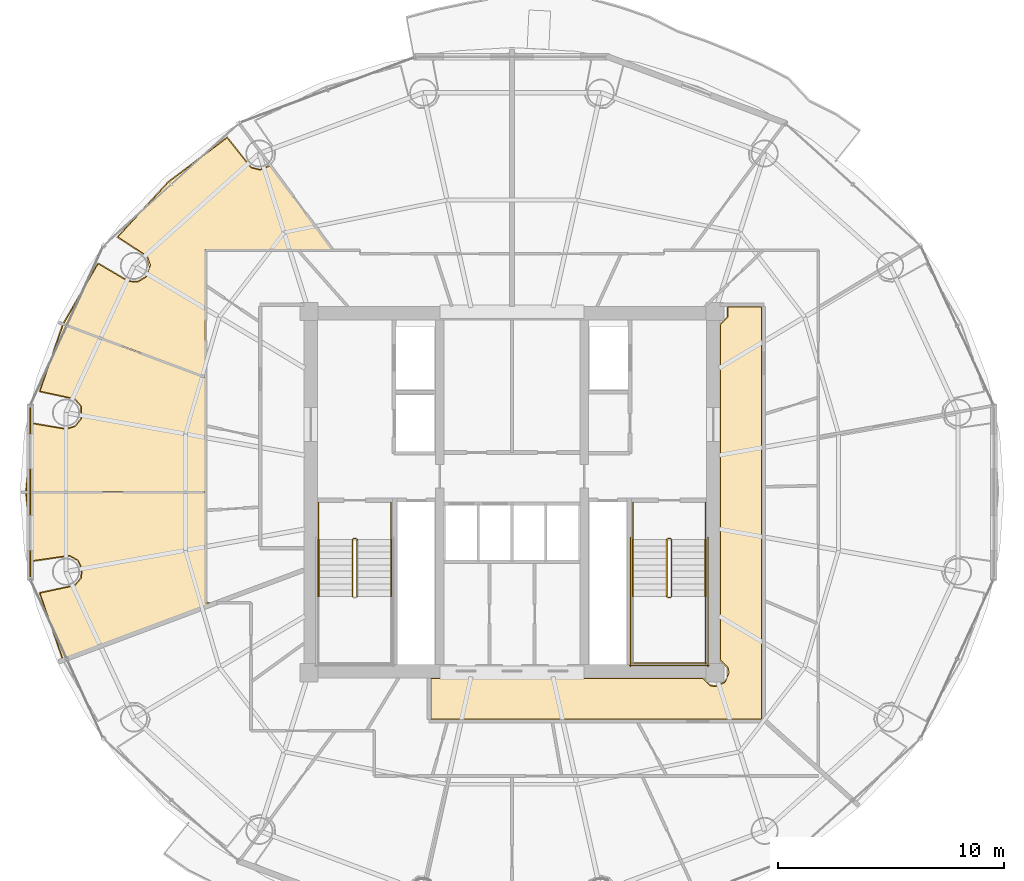
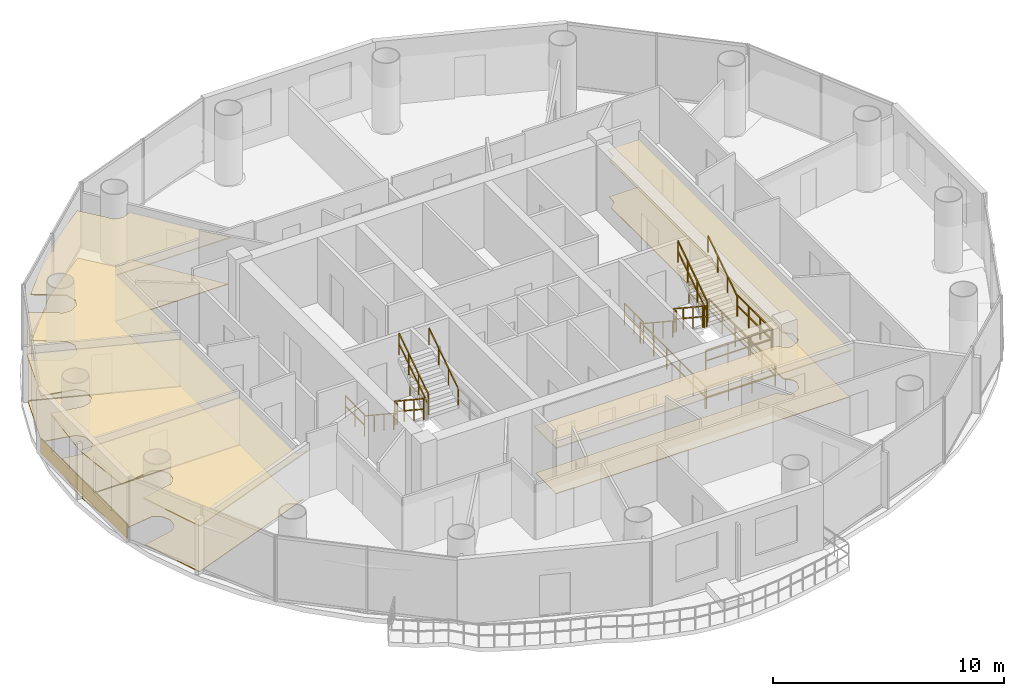
# One storey, part 25 of 26: 20 railings, 9 coverings.
"""IFC4 building model written with IfcOpenShell, lengths in metres."""

from ifc_helpers import new_model, si_unit, direction, frame, origin, origin_2d, place, context, subcontext, project, spatial, polyline, rectangle, outline, extrude, source, transform, mapped, material, layer, layer_set, type_object, element, save


model = new_model("IFC4")

# Units and contexts
model_context = context("Model", 3, precision=1e-05, world=origin(), true_north=direction((-0.2419218956, 0.970295726276)))
body_context = subcontext(model_context, "Body", "Model", "MODEL_VIEW")
ifc_project = project(units=[si_unit("LENGTHUNIT", "METRE"), si_unit("AREAUNIT", "SQUARE_METRE"), si_unit("VOLUMEUNIT", "CUBIC_METRE"), si_unit("PLANEANGLEUNIT", "RADIAN"), si_unit("MASSUNIT", "GRAM", prefix="KILO")], contexts=[model_context])

# Site, building, storey
site_placement = place(None, origin())
site = spatial("IfcSite", under=ifc_project, at=site_placement, CompositionType="ELEMENT")
building_placement = place(site_placement, origin())
building = spatial("IfcBuilding", under=site, at=building_placement, Name="Cobrevalo Terracotta Tower", CompositionType="ELEMENT")
storey_placement = place(building_placement, frame((0.0, 0.0, 202.300048828125)))
storey = spatial("IfcBuildingStorey", under=building, at=storey_placement, Name="L53", CompositionType="ELEMENT", Elevation=202.300048828125)

# Coverings
ifc_material_1 = material(Name="Engineered Brazilian hardwood flooring", Category="wood")
ifc_layer_1 = layer(ifc_material_1, 0.028076171875)
ifc_layer_set_1 = layer_set([ifc_layer_1], Name="Engineered Brazilian hardwood flooring")
covering_type_1 = type_object("IfcCoveringType", Name="Engineered Hardwood Suite Flooring 28", PredefinedType="FLOORING", material=ifc_layer_set_1)
covering_1_placement = place(storey_placement, origin())
element("IfcCovering", 1, at=covering_1_placement, inside=storey, type_object=covering_type_1, Name="Flat L53A Master Bedroom floor finish", PredefinedType="FLOORING", context=body_context, shape_type="SweptSolid", body=[
    extrude(outline(polyline([(19.662109375, 36.91357421875), (20.9970703125, 36.131103515625), (21.42626953125, 36.1103515625), (21.794677734375, 36.331298828125), (21.985107421875, 36.86474609375), (21.840087890625, 37.269287109375), (20.546875, 38.10888671875), (22.782470703125, 40.53125), (25.3720703125, 42.49169921875), (26.426513671875, 41.172119140625), (26.843505859375, 41.06884765625), (27.2890625, 41.25244140625), (30.0302734375, 37.544921875), (24.405029296875, 37.544921875), (24.405029296875, 31.91015625), (18.132568359375, 34.258056640625), (19.662109375, 36.91357421875)])), origin(), (0.0, 0.0, 1.0), 0.030029296875),
])
covering_2_placement = place(storey_placement, origin())
element("IfcCovering", 2, at=covering_2_placement, inside=storey, type_object=covering_type_1, Name="Flat L53A Principal Guest Bedroom floor finish", PredefinedType="FLOORING", context=body_context, shape_type="SweptSolid", body=[
    extrude(outline(polyline([(16.7734375, 29.83056640625), (18.251953125, 29.58154296875), (18.66064453125, 29.71435546875), (18.926513671875, 30.052001953125), (18.9150390625, 30.6181640625), (18.635986328125, 30.94482421875), (17.09228515625, 31.277099609375), (18.114501953125, 34.221923828125), (24.405029296875, 31.867431640625), (24.405029296875, 26.820068359375), (16.4814453125, 26.820068359375), (16.7734375, 29.83056640625)])), origin(), (0.0, 0.0, 1.0), 0.030029296875),
])
covering_3_placement = place(storey_placement, origin())
element("IfcCovering", 3, at=covering_3_placement, inside=storey, type_object=covering_type_1, Name="Flat L53A Principal Guest Bedroom floor finish", PredefinedType="FLOORING", context=body_context, shape_type="SweptSolid", body=[
    extrude(outline(polyline([(16.4814453125, 26.780029296875), (24.405029296875, 26.780029296875), (24.405029296875, 21.88037109375), (24.780517578125, 21.873046875), (18.114501953125, 19.3779296875), (17.09228515625, 22.322998046875), (18.635986328125, 22.655029296875), (18.9150390625, 22.981689453125), (18.9658203125, 23.408447265625), (18.770751953125, 23.791259765625), (18.39599609375, 24.00146484375), (16.7734375, 23.76953125), (16.4814453125, 26.780029296875)])), origin(), (0.0, 0.0, 1.0), 0.030029296875),
])
ifc_material_2 = material(Name="Honed terracotta and granite tile", Category="masonry")
ifc_layer_2 = layer(ifc_material_2, 0.034912109375)
ifc_layer_set_2 = layer_set([ifc_layer_2], Name="Honed terracotta and granite tile")
covering_type_2 = type_object("IfcCoveringType", Name="Honed Terracotta & Granite Interior Flooring 35", PredefinedType="FLOORING", material=ifc_layer_set_2)
covering_4_placement = place(storey_placement, origin())
element("IfcCovering", 4, at=covering_4_placement, inside=storey, type_object=covering_type_2, Name="L53 Residential Floor Corridor 1 floor finish", PredefinedType="FLOORING", context=body_context, shape_type="SweptSolid", body=[
    extrude(outline(polyline([(34.419921875, 18.554931640625), (46.431884765625, 18.554931640625), (46.7626953125, 18.226806640625), (47.0, 18.1796875), (47.438720703125, 18.361328125), (47.620361328125, 18.800048828125), (47.5732421875, 19.037353515625), (47.2451171875, 19.3681640625), (47.2451171875, 34.23193359375), (47.5732421875, 34.5625), (47.57958984375, 35.0048828125), (49.054931640625, 35.0048828125), (49.054931640625, 16.7451171875), (34.419921875, 16.7451171875), (34.419921875, 18.554931640625)])), origin(), (0.0, 0.0, 1.0), 0.030029296875),
])
ifc_material_3 = material(Name="Acoustic perforated gypsum ceiling", Category="gypsum")
ifc_layer_3 = layer(ifc_material_3, 0.050048828125)
ifc_layer_set_3 = layer_set([ifc_layer_3], Name="Acoustic perforated gypsum ceiling")
covering_type_3 = type_object("IfcCoveringType", Name="Perforated Acoustic Gypsum Ceiling 50", PredefinedType="CEILING", material=ifc_layer_set_3)
covering_5_placement = place(storey_placement, frame((0.0, 0.0, 2.445068359375)))
element("IfcCovering", 5, at=covering_5_placement, inside=storey, type_object=covering_type_3, Name="L53 Residential Floor Corridor 1 acoustic ceiling", PredefinedType="CEILING", context=body_context, shape_type="SweptSolid", body=[
    extrude(outline(polyline([(34.375, 18.60009765625), (46.4560546875, 18.60009765625), (46.780029296875, 18.269287109375), (47.0, 18.2255859375), (47.40625, 18.393798828125), (47.53076171875, 18.580078125), (47.53076171875, 19.019775390625), (47.199951171875, 19.343994140625), (47.199951171875, 34.255859375), (47.53076171875, 34.580078125), (47.524658203125, 35.050048828125), (49.10009765625, 35.050048828125), (49.10009765625, 16.699951171875), (34.375, 16.699951171875), (34.375, 18.60009765625)])), origin(), (0.0, 0.0, 1.0), 0.0498046875),
])
covering_6_placement = place(storey_placement, frame((0.0, 0.0, 2.445068359375)))
element("IfcCovering", 6, at=covering_6_placement, inside=storey, type_object=covering_type_3, Name="Flat L53A Master Bedroom acoustic ceiling", PredefinedType="CEILING", context=body_context, shape_type="SweptSolid", body=[
    extrude(outline(polyline([(19.650146484375, 36.97314453125), (21.01220703125, 36.173583984375), (21.4150390625, 36.154052734375), (21.760986328125, 36.36181640625), (21.933349609375, 36.7265625), (21.8037109375, 37.242431640625), (20.481201171875, 38.095703125), (22.752197265625, 40.564697265625), (25.3837890625, 42.55126953125), (26.44970703125, 41.2109375), (26.84130859375, 41.114013671875), (27.29541015625, 41.319091796875), (30.119384765625, 37.5), (24.449951171875, 37.5), (24.449951171875, 31.84521484375), (18.068115234375, 34.234130859375), (19.650146484375, 36.97314453125)])), origin(), (0.0, 0.0, 1.0), 0.0498046875),
])
covering_7_placement = place(storey_placement, frame((0.0, 0.0, 2.445068359375)))
element("IfcCovering", 7, at=covering_7_placement, inside=storey, type_object=covering_type_3, Name="Flat L53A Principal Guest Bedroom acoustic ceiling", PredefinedType="CEILING", context=body_context, shape_type="SweptSolid", body=[
    extrude(outline(polyline([(16.73876953125, 29.88232421875), (18.2509765625, 29.626708984375), (18.634765625, 29.75146484375), (18.88427734375, 30.068359375), (18.873779296875, 30.60009765625), (18.611572265625, 30.90673828125), (17.038330078125, 31.240966796875), (18.088134765625, 34.280029296875), (24.449951171875, 31.898681640625), (24.449951171875, 26.77490234375), (16.43310546875, 26.77490234375), (16.73876953125, 29.88232421875)])), origin(), (0.0, 0.0, 1.0), 0.0498046875),
])
covering_8_placement = place(storey_placement, frame((0.0, 0.0, 2.445068359375)))
element("IfcCovering", 8, at=covering_8_placement, inside=storey, type_object=covering_type_3, Name="Flat L53A Principal Guest Bedroom acoustic ceiling", PredefinedType="CEILING", context=body_context, shape_type="SweptSolid", body=[
    extrude(outline(polyline([(16.43310546875, 26.824951171875), (24.449951171875, 26.824951171875), (24.449951171875, 21.924560546875), (25.01220703125, 21.911865234375), (18.088134765625, 19.320068359375), (17.038330078125, 22.359130859375), (18.611572265625, 22.693359375), (18.873779296875, 23.0), (18.92138671875, 23.400634765625), (18.73828125, 23.760009765625), (18.386474609375, 23.957275390625), (16.73876953125, 23.717529296875), (16.43310546875, 26.824951171875)])), origin(), (0.0, 0.0, 1.0), 0.0498046875),
])

# Railings
ifc_material_4 = material(Name="Brushed stainless steel", Category="steel")
railing_type_1 = type_object("IfcRailingType", Name="Stainless Steel Stair Handrail 900", PredefinedType="HANDRAIL", material=ifc_material_4)
railing_1_placement = place(storey_placement, frame((29.425048828125, 24.699951171875, 0.18505859375)))
element("IfcRailing", 9, at=railing_1_placement, inside=storey, type_object=railing_type_1, Name="L53 ST-1 stair handrail 1", PredefinedType="HANDRAIL", context=body_context, shape_type="SweptSolid", body=[
    extrude(rectangle(XDim=0.048095703125, YDim=0.048095703125, at=origin_2d()), frame((0.0, 0.0, 0.8759765625), z_axis=(0.0, -0.83436851402, 0.551207023552), x_axis=(1.0, 0.0, 0.0)), (0.0, 0.0, 1.0), 3.020263671875),
    extrude(rectangle(XDim=0.0419921875, YDim=0.0419921875, at=origin_2d()), origin(), (0.0, 0.0, 1.0), 0.851806640625),
    extrude(rectangle(XDim=0.0419921875, YDim=0.0419921875, at=origin_2d()), frame((0.0, -0.840087890625, 0.554931640625)), (0.0, 0.0, 1.0), 0.851806640625),
    extrude(rectangle(XDim=0.0419921875, YDim=0.0419921875, at=origin_2d()), frame((0.0, -1.679931640625, 1.10986328125)), (0.0, 0.0, 1.0), 0.851806640625),
    extrude(rectangle(XDim=0.0419921875, YDim=0.0419921875, at=origin_2d()), frame((0.0, -2.52001953125, 1.664794921875)), (0.0, 0.0, 1.0), 0.851806640625),
])
railing_2_placement = place(storey_placement, frame((32.64501953125, 22.179931640625, 2.034912109375)))
element("IfcRailing", 10, at=railing_2_placement, inside=storey, type_object=railing_type_1, Name="L53 ST-1 stair handrail 2", PredefinedType="HANDRAIL", context=body_context, shape_type="SweptSolid", body=[
    extrude(rectangle(XDim=0.048095703125, YDim=0.048095703125, at=origin_2d()), frame((0.0, 0.0, 0.8759765625), z_axis=(0.0, 0.834331337432, 0.55126329406), x_axis=(-1.0, 0.0, 0.0)), (0.0, 0.0, 1.0), 3.0205078125),
    extrude(rectangle(XDim=0.0419921875, YDim=0.0419921875, at=origin_2d()), origin(), (0.0, 0.0, 1.0), 0.851806640625),
    extrude(rectangle(XDim=0.0419921875, YDim=0.0419921875, at=origin_2d()), frame((0.0, 0.840087890625, 0.554931640625)), (0.0, 0.0, 1.0), 0.851806640625),
    extrude(rectangle(XDim=0.0419921875, YDim=0.0419921875, at=origin_2d()), frame((0.0, 1.679931640625, 1.110107421875)), (0.0, 0.0, 1.0), 0.851806640625),
    extrude(rectangle(XDim=0.0419921875, YDim=0.0419921875, at=origin_2d()), frame((0.0, 2.52001953125, 1.6650390625)), (0.0, 0.0, 1.0), 0.851806640625),
])
railing_3_placement = place(storey_placement, frame((43.35498046875, 24.699951171875, 0.18505859375)))
element("IfcRailing", 11, at=railing_3_placement, inside=storey, type_object=railing_type_1, Name="L53 ST-2 stair handrail 1", PredefinedType="HANDRAIL", context=body_context, shape_type="SweptSolid", body=[
    extrude(rectangle(XDim=0.048095703125, YDim=0.048095703125, at=origin_2d()), frame((0.0, 0.0, 0.8759765625), z_axis=(0.0, -0.83436851402, 0.551207023552), x_axis=(1.0, 0.0, 0.0)), (0.0, 0.0, 1.0), 3.020263671875),
    extrude(rectangle(XDim=0.0419921875, YDim=0.0419921875, at=origin_2d()), origin(), (0.0, 0.0, 1.0), 0.851806640625),
    extrude(rectangle(XDim=0.0419921875, YDim=0.0419921875, at=origin_2d()), frame((0.0, -0.840087890625, 0.554931640625)), (0.0, 0.0, 1.0), 0.851806640625),
    extrude(rectangle(XDim=0.0419921875, YDim=0.0419921875, at=origin_2d()), frame((0.0, -1.679931640625, 1.10986328125)), (0.0, 0.0, 1.0), 0.851806640625),
    extrude(rectangle(XDim=0.0419921875, YDim=0.0419921875, at=origin_2d()), frame((0.0, -2.52001953125, 1.664794921875)), (0.0, 0.0, 1.0), 0.851806640625),
])
railing_4_placement = place(storey_placement, frame((46.574951171875, 22.179931640625, 2.034912109375)))
element("IfcRailing", 12, at=railing_4_placement, inside=storey, type_object=railing_type_1, Name="L53 ST-2 stair handrail 2", PredefinedType="HANDRAIL", context=body_context, shape_type="SweptSolid", body=[
    extrude(rectangle(XDim=0.048095703125, YDim=0.048095703125, at=origin_2d()), frame((0.0, 0.0, 0.8759765625), z_axis=(0.0, 0.834331337432, 0.55126329406), x_axis=(-1.0, 0.0, 0.0)), (0.0, 0.0, 1.0), 3.0205078125),
    extrude(rectangle(XDim=0.0419921875, YDim=0.0419921875, at=origin_2d()), origin(), (0.0, 0.0, 1.0), 0.851806640625),
    extrude(rectangle(XDim=0.0419921875, YDim=0.0419921875, at=origin_2d()), frame((0.0, 0.840087890625, 0.554931640625)), (0.0, 0.0, 1.0), 0.851806640625),
    extrude(rectangle(XDim=0.0419921875, YDim=0.0419921875, at=origin_2d()), frame((0.0, 1.679931640625, 1.110107421875)), (0.0, 0.0, 1.0), 0.851806640625),
    extrude(rectangle(XDim=0.0419921875, YDim=0.0419921875, at=origin_2d()), frame((0.0, 2.52001953125, 1.6650390625)), (0.0, 0.0, 1.0), 0.851806640625),
])
ifc_material_5 = material(Name="Painted galvanized steel", Category="steel")
railing_type_2 = type_object("IfcRailingType", Name="Stair Well Guard Balustrade 1150", PredefinedType="GUARDRAIL", material=ifc_material_5)
railing_5_placement = place(storey_placement, frame((30.925048828125, 24.699951171875, 0.18505859375)))
element("IfcRailing", 13, at=railing_5_placement, inside=storey, type_object=railing_type_2, Name="L53 ST-1 stair guard 1", PredefinedType="GUARDRAIL", context=body_context, shape_type="SweptSolid", body=[
    extrude(rectangle(XDim=0.048095703125, YDim=0.048095703125, at=origin_2d()), frame((0.0, 0.0, 1.1259765625), z_axis=(0.0, -0.83436851402, 0.551207023552), x_axis=(1.0, 0.0, 0.0)), (0.0, 0.0, 1.0), 3.020263671875),
    extrude(rectangle(XDim=0.048095703125, YDim=0.048095703125, at=origin_2d()), frame((0.0, 0.0, 0.574951171875), z_axis=(0.0, -0.83436851402, 0.551207023552), x_axis=(1.0, 0.0, 0.0)), (0.0, 0.0, 1.0), 3.020263671875),
    extrude(rectangle(XDim=0.0419921875, YDim=0.0419921875, at=origin_2d()), origin(), (0.0, 0.0, 1.0), 1.101806640625),
    extrude(rectangle(XDim=0.0419921875, YDim=0.0419921875, at=origin_2d()), frame((0.0, -0.840087890625, 0.554931640625)), (0.0, 0.0, 1.0), 1.101806640625),
    extrude(rectangle(XDim=0.0419921875, YDim=0.0419921875, at=origin_2d()), frame((0.0, -1.679931640625, 1.10986328125)), (0.0, 0.0, 1.0), 1.101806640625),
    extrude(rectangle(XDim=0.0419921875, YDim=0.0419921875, at=origin_2d()), frame((0.0, -2.52001953125, 1.664794921875)), (0.0, 0.0, 1.0), 1.101806640625),
])
railing_6_placement = place(storey_placement, frame((31.14501953125, 22.179931640625, 2.034912109375)))
element("IfcRailing", 14, at=railing_6_placement, inside=storey, type_object=railing_type_2, Name="L53 ST-1 stair guard 6", PredefinedType="GUARDRAIL", context=body_context, shape_type="SweptSolid", body=[
    extrude(rectangle(XDim=0.048095703125, YDim=0.048095703125, at=origin_2d()), frame((0.0, 0.0, 1.1259765625), z_axis=(0.0, 0.834331337432, 0.55126329406), x_axis=(-1.0, 0.0, 0.0)), (0.0, 0.0, 1.0), 3.0205078125),
    extrude(rectangle(XDim=0.048095703125, YDim=0.048095703125, at=origin_2d()), frame((0.0, 0.0, 0.574951171875), z_axis=(0.0, 0.834331337432, 0.55126329406), x_axis=(-1.0, 0.0, 0.0)), (0.0, 0.0, 1.0), 3.0205078125),
    extrude(rectangle(XDim=0.0419921875, YDim=0.0419921875, at=origin_2d()), origin(), (0.0, 0.0, 1.0), 1.101806640625),
    extrude(rectangle(XDim=0.0419921875, YDim=0.0419921875, at=origin_2d()), frame((0.0, 0.840087890625, 0.554931640625)), (0.0, 0.0, 1.0), 1.101806640625),
    extrude(rectangle(XDim=0.0419921875, YDim=0.0419921875, at=origin_2d()), frame((0.0, 1.679931640625, 1.110107421875)), (0.0, 0.0, 1.0), 1.101806640625),
    extrude(rectangle(XDim=0.0419921875, YDim=0.0419921875, at=origin_2d()), frame((0.0, 2.52001953125, 1.6650390625)), (0.0, 0.0, 1.0), 1.101806640625),
])
railing_7_placement = place(storey_placement, frame((30.97509765625, 24.75, 0.0)))
element("IfcRailing", 15, at=railing_7_placement, inside=storey, type_object=railing_type_2, Name="L53 ST-1 stair guard 7", PredefinedType="GUARDRAIL", context=body_context, shape_type="SweptSolid", body=[
    extrude(rectangle(XDim=0.048095703125, YDim=0.048095703125, at=origin_2d()), frame((0.0, 0.0, 1.1259765625), z_axis=(1.0, 0.0, 0.0), x_axis=(0.0, 1.0, 0.0)), (0.0, 0.0, 1.0), 0.119873046875),
    extrude(rectangle(XDim=0.048095703125, YDim=0.048095703125, at=origin_2d()), frame((0.0, 0.0, 0.574951171875), z_axis=(1.0, 0.0, 0.0), x_axis=(0.0, 1.0, 0.0)), (0.0, 0.0, 1.0), 0.119873046875),
    extrude(rectangle(XDim=0.0419921875, YDim=0.0419921875, at=origin_2d()), origin(), (0.0, 0.0, 1.0), 1.101806640625),
    extrude(rectangle(XDim=0.0419921875, YDim=0.0419921875, at=origin_2d()), frame((0.119873046875, 0.0, 0.0)), (0.0, 0.0, 1.0), 1.101806640625),
])
for number, where, name in (
    (16, (29.425048828125, 26.35009765625, 0.0), "L53 ST-1 stair guard 8"),
    (17, (32.64501953125, 26.35009765625, 0.0), "L53 ST-1 stair guard 9"),
):
    element("IfcRailing", number, at=place(storey_placement, frame(where)), inside=storey, type_object=railing_type_2, Name=name, PredefinedType="GUARDRAIL", context=body_context, shape_type="SweptSolid", body=[
        extrude(rectangle(XDim=0.048095703125, YDim=0.048095703125, at=origin_2d()), frame((0.0, 0.0, 1.1259765625), z_axis=(0.0, -1.0, 0.0), x_axis=(1.0, 0.0, 0.0)), (0.0, 0.0, 1.0), 1.650146484375),
        extrude(rectangle(XDim=0.048095703125, YDim=0.048095703125, at=origin_2d()), frame((0.0, 0.0, 0.574951171875), z_axis=(0.0, -1.0, 0.0), x_axis=(1.0, 0.0, 0.0)), (0.0, 0.0, 1.0), 1.650146484375),
        extrude(rectangle(XDim=0.0419921875, YDim=0.0419921875, at=origin_2d()), origin(), (0.0, 0.0, 1.0), 1.101806640625),
        extrude(rectangle(XDim=0.0419921875, YDim=0.0419921875, at=origin_2d()), frame((0.0, -0.8251953125, 0.0)), (0.0, 0.0, 1.0), 1.101806640625),
        extrude(rectangle(XDim=0.0419921875, YDim=0.0419921875, at=origin_2d()), frame((0.0, -1.650146484375, 0.0)), (0.0, 0.0, 1.0), 1.101806640625),
    ])
railing_8_placement = place(storey_placement, frame((44.85498046875, 24.699951171875, 0.18505859375)))
element("IfcRailing", 18, at=railing_8_placement, inside=storey, type_object=railing_type_2, Name="L53 ST-2 stair guard 1", PredefinedType="GUARDRAIL", context=body_context, shape_type="SweptSolid", body=[
    extrude(rectangle(XDim=0.048095703125, YDim=0.048095703125, at=origin_2d()), frame((0.0, 0.0, 1.1259765625), z_axis=(0.0, -0.83436851402, 0.551207023552), x_axis=(1.0, 0.0, 0.0)), (0.0, 0.0, 1.0), 3.020263671875),
    extrude(rectangle(XDim=0.048095703125, YDim=0.048095703125, at=origin_2d()), frame((0.0, 0.0, 0.574951171875), z_axis=(0.0, -0.83436851402, 0.551207023552), x_axis=(1.0, 0.0, 0.0)), (0.0, 0.0, 1.0), 3.020263671875),
    extrude(rectangle(XDim=0.0419921875, YDim=0.0419921875, at=origin_2d()), origin(), (0.0, 0.0, 1.0), 1.101806640625),
    extrude(rectangle(XDim=0.0419921875, YDim=0.0419921875, at=origin_2d()), frame((0.0, -0.840087890625, 0.554931640625)), (0.0, 0.0, 1.0), 1.101806640625),
    extrude(rectangle(XDim=0.0419921875, YDim=0.0419921875, at=origin_2d()), frame((0.0, -1.679931640625, 1.10986328125)), (0.0, 0.0, 1.0), 1.101806640625),
    extrude(rectangle(XDim=0.0419921875, YDim=0.0419921875, at=origin_2d()), frame((0.0, -2.52001953125, 1.664794921875)), (0.0, 0.0, 1.0), 1.101806640625),
])
railing_9_placement = place(storey_placement, frame((44.905029296875, 22.1298828125, 1.849853515625)))
element("IfcRailing", 19, at=railing_9_placement, inside=storey, type_object=railing_type_2, Name="L53 ST-2 stair guard 2", PredefinedType="GUARDRAIL", context=body_context, shape_type="SweptSolid", body=[
    extrude(rectangle(XDim=0.048095703125, YDim=0.048095703125, at=origin_2d()), frame((0.0, 0.0, 1.1259765625), z_axis=(1.0, 0.0, 0.0), x_axis=(0.0, 1.0, 0.0)), (0.0, 0.0, 1.0), 0.119873046875),
    extrude(rectangle(XDim=0.048095703125, YDim=0.048095703125, at=origin_2d()), frame((0.0, 0.0, 0.574951171875), z_axis=(1.0, 0.0, 0.0), x_axis=(0.0, 1.0, 0.0)), (0.0, 0.0, 1.0), 0.119873046875),
    extrude(rectangle(XDim=0.0419921875, YDim=0.0419921875, at=origin_2d()), origin(), (0.0, 0.0, 1.0), 1.101806640625),
    extrude(rectangle(XDim=0.0419921875, YDim=0.0419921875, at=origin_2d()), frame((0.119873046875, 0.0, 0.0)), (0.0, 0.0, 1.0), 1.101806640625),
])
railing_10_placement = place(storey_placement, frame((46.574951171875, 22.179931640625, 1.849853515625)))
element("IfcRailing", 20, at=railing_10_placement, inside=storey, type_object=railing_type_2, Name="L53 ST-2 stair guard 4", PredefinedType="GUARDRAIL", context=body_context, shape_type="SweptSolid", body=[
    extrude(rectangle(XDim=0.048095703125, YDim=0.048095703125, at=origin_2d()), frame((0.0, 0.0, 1.1259765625), z_axis=(0.0, -1.0, 0.0), x_axis=(1.0, 0.0, 0.0)), (0.0, 0.0, 1.0), 3.0048828125),
    extrude(rectangle(XDim=0.048095703125, YDim=0.048095703125, at=origin_2d()), frame((0.0, 0.0, 0.574951171875), z_axis=(0.0, -1.0, 0.0), x_axis=(1.0, 0.0, 0.0)), (0.0, 0.0, 1.0), 3.0048828125),
    extrude(rectangle(XDim=0.0419921875, YDim=0.0419921875, at=origin_2d()), origin(), (0.0, 0.0, 1.0), 1.101806640625),
    extrude(rectangle(XDim=0.0419921875, YDim=0.0419921875, at=origin_2d()), frame((0.0, -1.001708984375, 0.0)), (0.0, 0.0, 1.0), 1.101806640625),
    extrude(rectangle(XDim=0.0419921875, YDim=0.0419921875, at=origin_2d()), frame((0.0, -2.003173828125, 0.0)), (0.0, 0.0, 1.0), 1.101806640625),
    extrude(rectangle(XDim=0.0419921875, YDim=0.0419921875, at=origin_2d()), frame((0.0, -3.0048828125, 0.0)), (0.0, 0.0, 1.0), 1.101806640625),
])
railing_11_placement = place(storey_placement, frame((43.304931640625, 19.22509765625, 1.849853515625)))
element("IfcRailing", 21, at=railing_11_placement, inside=storey, type_object=railing_type_2, Name="L53 ST-2 stair guard 5", PredefinedType="GUARDRAIL", context=body_context, shape_type="SweptSolid", body=[
    extrude(rectangle(XDim=0.048095703125, YDim=0.048095703125, at=origin_2d()), frame((0.0, 0.0, 1.1259765625), z_axis=(1.0, 0.0, 0.0), x_axis=(0.0, 1.0, 0.0)), (0.0, 0.0, 1.0), 3.320068359375),
    extrude(rectangle(XDim=0.048095703125, YDim=0.048095703125, at=origin_2d()), frame((0.0, 0.0, 0.574951171875), z_axis=(1.0, 0.0, 0.0), x_axis=(0.0, 1.0, 0.0)), (0.0, 0.0, 1.0), 3.320068359375),
    extrude(rectangle(XDim=0.0419921875, YDim=0.0419921875, at=origin_2d()), origin(), (0.0, 0.0, 1.0), 1.101806640625),
    extrude(rectangle(XDim=0.0419921875, YDim=0.0419921875, at=origin_2d()), frame((1.106689453125, 0.0, 0.0)), (0.0, 0.0, 1.0), 1.101806640625),
    extrude(rectangle(XDim=0.0419921875, YDim=0.0419921875, at=origin_2d()), frame((2.21337890625, 0.0, 0.0)), (0.0, 0.0, 1.0), 1.101806640625),
    extrude(rectangle(XDim=0.0419921875, YDim=0.0419921875, at=origin_2d()), frame((3.320068359375, 0.0, 0.0)), (0.0, 0.0, 1.0), 1.101806640625),
])
railing_12_placement = place(storey_placement, frame((45.074951171875, 22.179931640625, 2.034912109375)))
element("IfcRailing", 22, at=railing_12_placement, inside=storey, type_object=railing_type_2, Name="L53 ST-2 stair guard 6", PredefinedType="GUARDRAIL", context=body_context, shape_type="SweptSolid", body=[
    extrude(rectangle(XDim=0.048095703125, YDim=0.048095703125, at=origin_2d()), frame((0.0, 0.0, 1.1259765625), z_axis=(0.0, 0.834331337432, 0.55126329406), x_axis=(-1.0, 0.0, 0.0)), (0.0, 0.0, 1.0), 3.0205078125),
    extrude(rectangle(XDim=0.048095703125, YDim=0.048095703125, at=origin_2d()), frame((0.0, 0.0, 0.574951171875), z_axis=(0.0, 0.834331337432, 0.55126329406), x_axis=(-1.0, 0.0, 0.0)), (0.0, 0.0, 1.0), 3.0205078125),
    extrude(rectangle(XDim=0.0419921875, YDim=0.0419921875, at=origin_2d()), origin(), (0.0, 0.0, 1.0), 1.101806640625),
    extrude(rectangle(XDim=0.0419921875, YDim=0.0419921875, at=origin_2d()), frame((0.0, 0.840087890625, 0.554931640625)), (0.0, 0.0, 1.0), 1.101806640625),
    extrude(rectangle(XDim=0.0419921875, YDim=0.0419921875, at=origin_2d()), frame((0.0, 1.679931640625, 1.110107421875)), (0.0, 0.0, 1.0), 1.101806640625),
    extrude(rectangle(XDim=0.0419921875, YDim=0.0419921875, at=origin_2d()), frame((0.0, 2.52001953125, 1.6650390625)), (0.0, 0.0, 1.0), 1.101806640625),
])
railing_13_placement = place(storey_placement, frame((44.905029296875, 24.75, 0.0)))
element("IfcRailing", 23, at=railing_13_placement, inside=storey, type_object=railing_type_2, Name="L53 ST-2 stair guard 7", PredefinedType="GUARDRAIL", context=body_context, shape_type="SweptSolid", body=[
    extrude(rectangle(XDim=0.048095703125, YDim=0.048095703125, at=origin_2d()), frame((0.0, 0.0, 1.1259765625), z_axis=(1.0, 0.0, 0.0), x_axis=(0.0, 1.0, 0.0)), (0.0, 0.0, 1.0), 0.119873046875),
    extrude(rectangle(XDim=0.048095703125, YDim=0.048095703125, at=origin_2d()), frame((0.0, 0.0, 0.574951171875), z_axis=(1.0, 0.0, 0.0), x_axis=(0.0, 1.0, 0.0)), (0.0, 0.0, 1.0), 0.119873046875),
    extrude(rectangle(XDim=0.0419921875, YDim=0.0419921875, at=origin_2d()), origin(), (0.0, 0.0, 1.0), 1.101806640625),
    extrude(rectangle(XDim=0.0419921875, YDim=0.0419921875, at=origin_2d()), frame((0.119873046875, 0.0, 0.0)), (0.0, 0.0, 1.0), 1.101806640625),
])
for number, where, name in (
    (24, (43.35498046875, 26.35009765625, 0.0), "L53 ST-2 stair guard 8"),
    (25, (46.574951171875, 26.35009765625, 0.0), "L53 ST-2 stair guard 9"),
):
    element("IfcRailing", number, at=place(storey_placement, frame(where)), inside=storey, type_object=railing_type_2, Name=name, PredefinedType="GUARDRAIL", context=body_context, shape_type="SweptSolid", body=[
        extrude(rectangle(XDim=0.048095703125, YDim=0.048095703125, at=origin_2d()), frame((0.0, 0.0, 1.1259765625), z_axis=(0.0, -1.0, 0.0), x_axis=(1.0, 0.0, 0.0)), (0.0, 0.0, 1.0), 1.650146484375),
        extrude(rectangle(XDim=0.048095703125, YDim=0.048095703125, at=origin_2d()), frame((0.0, 0.0, 0.574951171875), z_axis=(0.0, -1.0, 0.0), x_axis=(1.0, 0.0, 0.0)), (0.0, 0.0, 1.0), 1.650146484375),
        extrude(rectangle(XDim=0.0419921875, YDim=0.0419921875, at=origin_2d()), origin(), (0.0, 0.0, 1.0), 1.101806640625),
        extrude(rectangle(XDim=0.0419921875, YDim=0.0419921875, at=origin_2d()), frame((0.0, -0.8251953125, 0.0)), (0.0, 0.0, 1.0), 1.101806640625),
        extrude(rectangle(XDim=0.0419921875, YDim=0.0419921875, at=origin_2d()), frame((0.0, -1.650146484375, 0.0)), (0.0, 0.0, 1.0), 1.101806640625),
    ])
for number, where, name in (
    (26, (43.2548828125, 24.800048828125, 0.0), "L53 ST-2 stair guard 10"),
    (27, (46.675048828125, 24.800048828125, 0.0), "L53 ST-2 stair guard 11"),
):
    element("IfcRailing", number, at=place(storey_placement, frame(where)), inside=storey, type_object=railing_type_2, Name=name, PredefinedType="GUARDRAIL", context=body_context, shape_type="SweptSolid", body=[
        extrude(rectangle(XDim=0.048095703125, YDim=0.048095703125, at=origin_2d()), frame((0.0, 0.0, 1.1259765625), z_axis=(0.0, -1.0, 0.0), x_axis=(1.0, 0.0, 0.0)), (0.0, 0.0, 1.0), 5.72509765625),
        extrude(rectangle(XDim=0.048095703125, YDim=0.048095703125, at=origin_2d()), frame((0.0, 0.0, 0.574951171875), z_axis=(0.0, -1.0, 0.0), x_axis=(1.0, 0.0, 0.0)), (0.0, 0.0, 1.0), 5.72509765625),
        extrude(rectangle(XDim=0.0419921875, YDim=0.0419921875, at=origin_2d()), origin(), (0.0, 0.0, 1.0), 1.101806640625),
        extrude(rectangle(XDim=0.0419921875, YDim=0.0419921875, at=origin_2d()), frame((0.0, -1.14501953125, 0.0)), (0.0, 0.0, 1.0), 1.101806640625),
        extrude(rectangle(XDim=0.0419921875, YDim=0.0419921875, at=origin_2d()), frame((0.0, -2.2900390625, 0.0)), (0.0, 0.0, 1.0), 1.101806640625),
        extrude(rectangle(XDim=0.0419921875, YDim=0.0419921875, at=origin_2d()), frame((0.0, -3.43505859375, 0.0)), (0.0, 0.0, 1.0), 1.101806640625),
        extrude(rectangle(XDim=0.0419921875, YDim=0.0419921875, at=origin_2d()), frame((0.0, -4.580078125, 0.0)), (0.0, 0.0, 1.0), 1.101806640625),
        extrude(rectangle(XDim=0.0419921875, YDim=0.0419921875, at=origin_2d()), frame((0.0, -5.72509765625, 0.0)), (0.0, 0.0, 1.0), 1.101806640625),
    ])
railing_14_placement = place(storey_placement, frame((43.205078125, 19.125, 0.0)))
element("IfcRailing", 28, at=railing_14_placement, inside=storey, type_object=railing_type_2, Name="L53 ST-2 stair guard 12", PredefinedType="GUARDRAIL", context=body_context, shape_type="SweptSolid", body=[
    extrude(rectangle(XDim=0.048095703125, YDim=0.048095703125, at=origin_2d()), frame((0.0, 0.0, 1.1259765625), z_axis=(1.0, 0.0, 0.0), x_axis=(0.0, 1.0, 0.0)), (0.0, 0.0, 1.0), 3.52001953125),
    extrude(rectangle(XDim=0.048095703125, YDim=0.048095703125, at=origin_2d()), frame((0.0, 0.0, 0.574951171875), z_axis=(1.0, 0.0, 0.0), x_axis=(0.0, 1.0, 0.0)), (0.0, 0.0, 1.0), 3.52001953125),
    extrude(rectangle(XDim=0.0419921875, YDim=0.0419921875, at=origin_2d()), origin(), (0.0, 0.0, 1.0), 1.101806640625),
    extrude(rectangle(XDim=0.0419921875, YDim=0.0419921875, at=origin_2d()), frame((1.17333984375, 0.0, 0.0)), (0.0, 0.0, 1.0), 1.101806640625),
    extrude(rectangle(XDim=0.0419921875, YDim=0.0419921875, at=origin_2d()), frame((2.3466796875, 0.0, 0.0)), (0.0, 0.0, 1.0), 1.101806640625),
    extrude(rectangle(XDim=0.0419921875, YDim=0.0419921875, at=origin_2d()), frame((3.52001953125, 0.0, 0.0)), (0.0, 0.0, 1.0), 1.101806640625),
])

# Covering
ifc_material_6 = material(Name="Glazed terracotta facade cladding tile", Category="masonry")
ifc_layer_4 = layer(ifc_material_6, 0.044921875)
ifc_layer_set_4 = layer_set([ifc_layer_4], Name="Glazed terracotta facade cladding tile")
covering_type_4 = type_object("IfcCoveringType", Name="Architectural terracotta rainscreen spandrel cladding 45 mm", PredefinedType="CLADDING", material=ifc_layer_set_4)
shared_shape = source(origin(), body_context, "Body", "SweptSolid", [
    extrude(rectangle(XDim=7.474853515625, YDim=0.044921875, at=origin_2d()), origin(), (0.0, 0.0, 1.0), 0.760009765625),
])
covering_9_placement = place(storey_placement, frame((16.648193359375, 26.800048828125, 0.0400390625), z_axis=(0.0, 0.0, 1.0), x_axis=(0.0, -1.0, 0.0)))
element("IfcCovering", 29, at=covering_9_placement, inside=storey, type_object=covering_type_4, Name="L53 terracotta spandrel cladding S08", PredefinedType="CLADDING", context=body_context, shape_type="MappedRepresentation", body=[
    mapped(shared_shape, transform((0.0, 0.0, 0.0), scale=1.0)),
])

save(model, "model.ifc")
